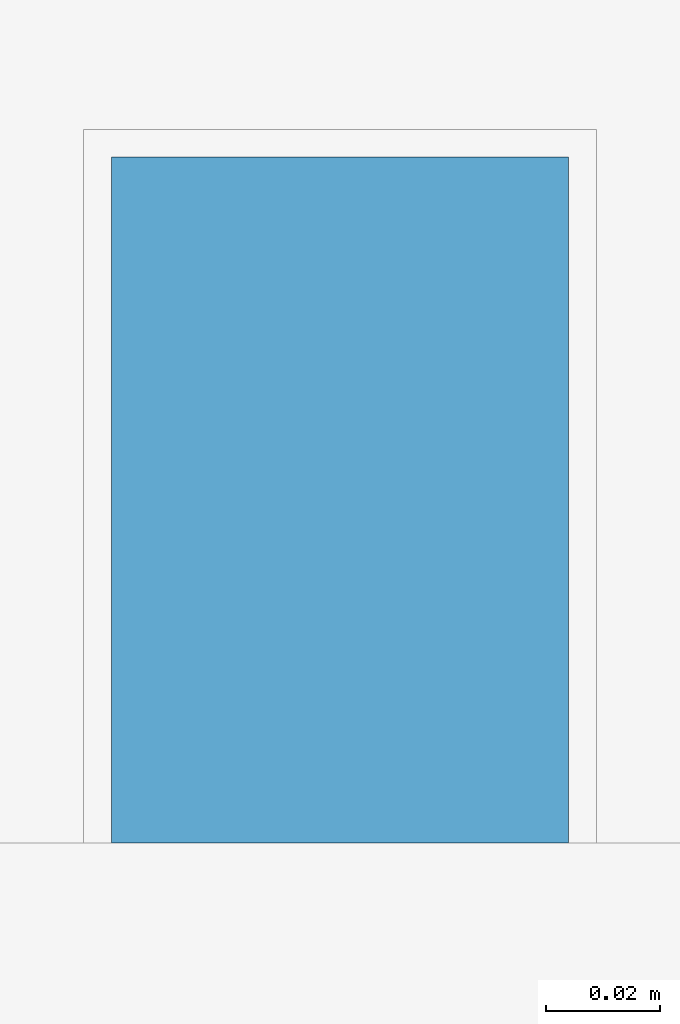
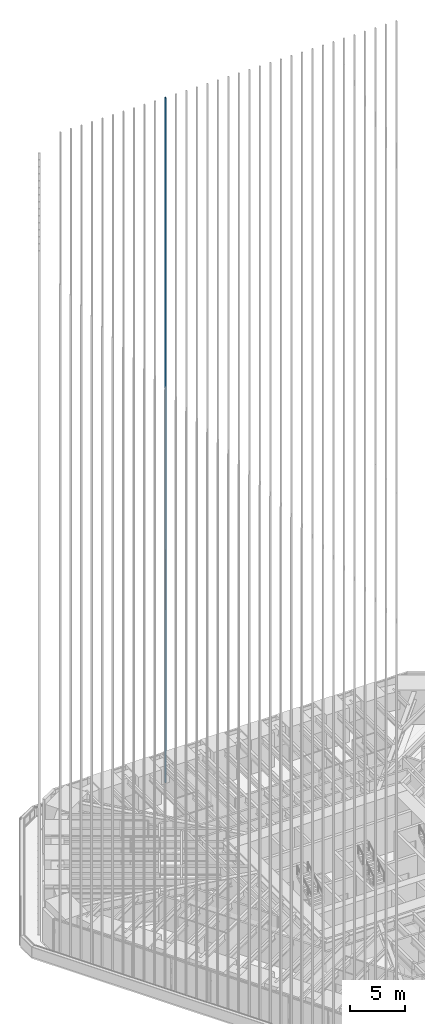
# One storey, part 165 of 238: 1 member, 1 element without a shape of its own.
"""IFC4 building model written with IfcOpenShell, lengths in metres."""

from ifc_helpers import new_model, si_unit, direction, frame, origin, origin_2d, place, context, subcontext, project, spatial, rectangle, extrude, material, material_profile, profile_set, type_object, element, aggregate, save


model = new_model("IFC4")

# Units and contexts
model_context = context("Model", 3, precision=1e-05, world=origin(), true_north=direction((0.0, 1.0)))
body_context = subcontext(model_context, "Body", "Model", "MODEL_VIEW")
ifc_project = project(units=[si_unit("LENGTHUNIT", "METRE"), si_unit("AREAUNIT", "SQUARE_METRE"), si_unit("VOLUMEUNIT", "CUBIC_METRE"), si_unit("PLANEANGLEUNIT", "RADIAN"), si_unit("MASSUNIT", "GRAM", prefix="KILO")], contexts=[model_context])

# Site, building, storey
site_placement = place(None, origin())
site = spatial("IfcSite", under=ifc_project, at=site_placement, CompositionType="ELEMENT")
building_placement = place(site_placement, origin())
building = spatial("IfcBuilding", under=site, at=building_placement, Name="Sandreach Pilgrim Tower", CompositionType="ELEMENT")
storey_placement = place(building_placement, frame((0.0, 0.0, 96.800048828125)))
storey = spatial("IfcBuildingStorey", under=building, at=storey_placement, Name="L23", CompositionType="ELEMENT", Elevation=96.800048828125)

# Curtain wall, member
ifc_material_1 = material(Name="Aluminium framed curtain wall", Category="aluminium")
curtain_wall_type = type_object("IfcCurtainWallType", Name="Hotel tower curtain wall", PredefinedType="NOTDEFINED", material=ifc_material_1)
curtain_wall_placement = place(storey_placement, origin())
curtain_wall = element("IfcCurtainWall", 1, at=curtain_wall_placement, inside=storey, type_object=curtain_wall_type, Name="CW-2 L23 N", PredefinedType="NOTDEFINED")
ifc_material_2 = material(Name="Extruded terracotta on aluminium core", Category="masonry")
ifc_material_profile = material_profile(ifc_material_2, rectangle(XDim=0.080078125, YDim=0.1201171875, at=origin_2d()), Name="TBN 80X120")
ifc_profile_set = profile_set([ifc_material_profile], Name="Extruded terracotta on aluminium core")
member_type = type_object("IfcMemberType", Name="Terracotta baguette north", PredefinedType="USERDEFINED", material=ifc_profile_set)
member_placement = place(storey_placement, frame((-6.59619140625, 22.853759765625, 0.0), z_axis=(0.0, 0.0, 1.0), x_axis=(1.0, 0.0, 0.0)))
member = element("IfcMember", 2, at=member_placement, type_object=member_type, Name="Baguette Z2 N11", ObjectType="BAGUETTE", PredefinedType="USERDEFINED", context=body_context, shape_type="SweptSolid", body=[
    extrude(rectangle(XDim=0.080078125, YDim=0.1201171875, at=origin_2d()), origin(), (0.0, 0.0, 1.0), 75.83984375),
])
aggregate(curtain_wall, [member])

save(model, "model.ifc")
